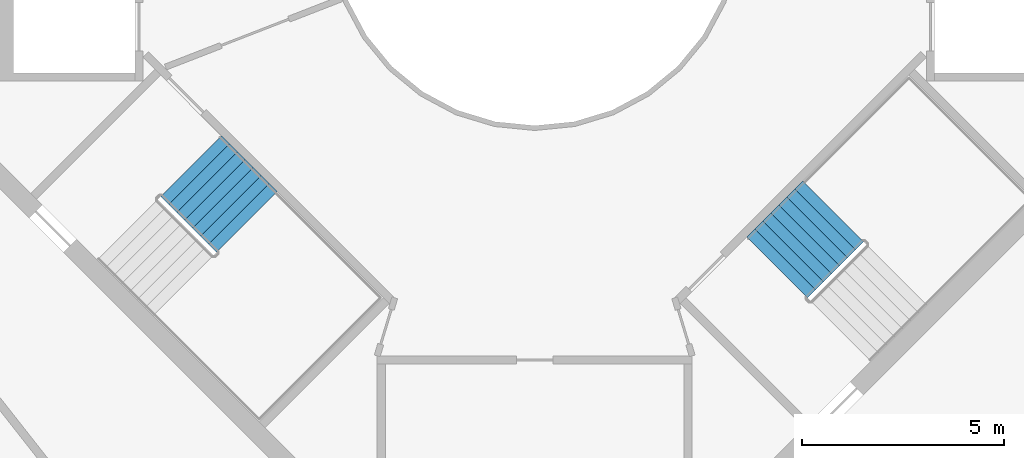
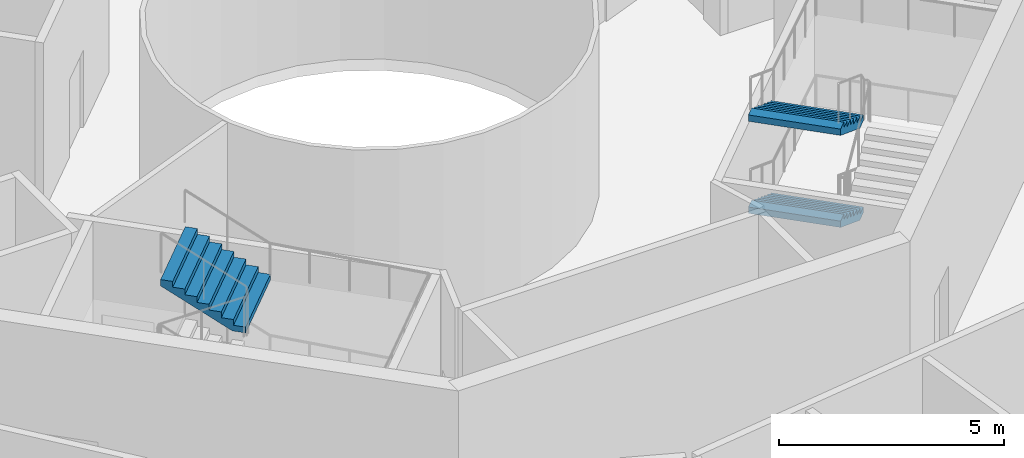
# One storey, part 15 of 19: 3 stair flights, 2 elements without a shape of their own.
"""IFC4 building model written with IfcOpenShell, lengths in metres."""

from ifc_helpers import new_model, si_unit, direction, frame, origin, place, context, subcontext, project, spatial, triangles, material, type_object, element, aggregate, save


model = new_model("IFC4")

# Units and contexts
model_context = context("Model", 3, precision=1e-05, world=origin(), true_north=direction((0.0, 1.0)))
body_context = subcontext(model_context, "Body", "Model", "MODEL_VIEW")
ifc_project = project(units=[si_unit("LENGTHUNIT", "METRE"), si_unit("AREAUNIT", "SQUARE_METRE"), si_unit("VOLUMEUNIT", "CUBIC_METRE"), si_unit("PLANEANGLEUNIT", "RADIAN"), si_unit("MASSUNIT", "GRAM", prefix="KILO")], contexts=[model_context])

# Site, building, storey
site_placement = place(None, origin())
site = spatial("IfcSite", under=ifc_project, at=site_placement, CompositionType="ELEMENT")
building_placement = place(site_placement, origin())
building = spatial("IfcBuilding", under=site, at=building_placement, Name="Verdalira Terraces Hotel", CompositionType="ELEMENT")
storey_placement = place(building_placement, frame((0.0, 0.0, 310.0)))
storey = spatial("IfcBuildingStorey", under=building, at=storey_placement, Name="L77", CompositionType="ELEMENT", Elevation=310.0)

# Stair, stair flight
ifc_material_1 = material(Name="Concrete C40", Category="concrete")
stair_type = type_object("IfcStairType", Name="Core stair 32 risers 2125 mm wide", PredefinedType="HALF_TURN_STAIR", material=ifc_material_1)
stair_1_placement = place(storey_placement, origin())
stair_1 = element("IfcStair", 1, at=stair_1_placement, inside=storey, type_object=stair_type, Name="L77 Exit stair ST2", PredefinedType="HALF_TURN_STAIR")
ifc_material_2 = material(Name="Concrete C40", Category="concrete")
stair_flight_type = type_object("IfcStairFlightType", Name="Core stair flight 32 risers 2125 mm wide", PredefinedType="STRAIGHT", material=ifc_material_2)
stair_flight_1_placement = place(storey_placement, frame((-7.125977, -7.387451, 3.75), z_axis=(0.0, 0.0, 1.0), x_axis=(-0.707106781, 0.707106781, 0.0)))
stair_flight_1 = element("IfcStairFlight", 2, at=stair_flight_1_placement, type_object=stair_flight_type, Name="ST2 flight 4", NumberOfRisers=8, NumberOfTreads=7, PredefinedType="STRAIGHT", RiserHeight=0.15625, TreadLength=0.28, context=body_context, shape_type="Tessellation", body=[
    triangles([(0.0, 1.0625, 0.0), (0.307617, 1.0625, 0.0), (1.959961, 1.0625, 0.922119), (0.0, -1.0625, 0.0), (0.307617, -1.0625, 0.0), (1.959961, -1.0625, 0.922119), (1.959961, 1.0625, 1.09375), (1.679932, 1.0625, 1.09375), (1.959961, -1.0625, 1.09375), (1.679932, -1.0625, 1.09375), (1.679932, 1.0625, 0.9375), (1.679932, -1.0625, 0.9375), (1.399902, 1.0625, 0.9375), (1.399902, -1.0625, 0.9375), (1.399902, 1.0625, 0.78125), (1.399902, -1.0625, 0.78125), (1.120117, 1.0625, 0.78125), (1.120117, 1.0625, 0.625), (1.120117, -1.0625, 0.78125), (1.120117, -1.0625, 0.625), (0.840088, 1.0625, 0.625), (0.840088, 1.0625, 0.46875), (0.840088, -1.0625, 0.625), (0.840088, -1.0625, 0.46875), (0.560059, 1.0625, 0.46875), (0.560059, 1.0625, 0.3125), (0.560059, -1.0625, 0.46875), (0.560059, -1.0625, 0.3125), (0.280029, 1.0625, 0.3125), (0.280029, 1.0625, 0.15625), (0.280029, -1.0625, 0.3125), (0.280029, -1.0625, 0.15625), (0.0, 1.0625, 0.15625), (0.0, -1.0625, 0.15625), (0.0, -0.996094, 0.0), (0.0, -0.996094, 0.15625), (0.0, -0.929688, 0.0), (0.0, -0.929688, 0.15625), (0.0, -0.863281, 0.0), (0.0, -0.863281, 0.15625), (0.0, -0.796875, 0.0), (0.0, -0.796875, 0.15625), (0.0, -0.730469, 0.0), (0.0, -0.730469, 0.15625), (0.0, -0.664062, 0.0), (0.0, -0.664062, 0.15625), (0.0, -0.597656, 0.0), (0.0, -0.597656, 0.15625), (0.0, -0.53125, 0.0), (0.0, -0.53125, 0.15625), (0.0, -0.464844, 0.0), (0.0, -0.464844, 0.15625), (0.0, -0.398438, 0.0), (0.0, -0.398438, 0.15625), (0.0, -0.332031, 0.0), (0.0, -0.332031, 0.15625), (0.0, -0.265625, 0.0), (0.0, -0.265625, 0.15625), (0.0, -0.199219, 0.0), (0.0, -0.199219, 0.15625), (0.0, -0.132812, 0.0), (0.0, -0.132812, 0.15625), (0.0, -0.066406, 0.0), (0.0, -0.066406, 0.15625), (0.0, 0.0, 0.0), (0.0, 0.0, 0.15625), (0.0, 0.066406, 0.0), (0.0, 0.066406, 0.15625), (0.0, 0.132812, 0.0), (0.0, 0.132812, 0.15625), (0.0, 0.199219, 0.0), (0.0, 0.199219, 0.15625), (0.0, 0.265625, 0.0), (0.0, 0.265625, 0.15625), (0.0, 0.332031, 0.0), (0.0, 0.332031, 0.15625), (0.0, 0.398438, 0.0), (0.0, 0.398438, 0.15625), (0.0, 0.464844, 0.0), (0.0, 0.464844, 0.15625), (0.0, 0.53125, 0.0), (0.0, 0.53125, 0.15625), (0.0, 0.597656, 0.0), (0.0, 0.597656, 0.15625), (0.0, 0.664062, 0.0), (0.0, 0.664062, 0.15625), (0.0, 0.730469, 0.0), (0.0, 0.730469, 0.15625), (0.0, 0.796875, 0.0), (0.0, 0.796875, 0.15625), (0.0, 0.863281, 0.0), (0.0, 0.863281, 0.15625), (0.0, 0.929688, 0.0), (0.0, 0.929688, 0.15625), (0.0, 0.996094, 0.0), (0.0, 0.996094, 0.15625), (1.959961, -0.996094, 1.09375), (1.959961, -0.929688, 1.09375), (1.959961, -0.863281, 1.09375), (1.959961, -0.796875, 1.09375), (1.959961, -0.730469, 1.09375), (1.959961, -0.664062, 1.09375), (1.959961, -0.597656, 1.09375), (1.959961, -0.53125, 1.09375), (1.959961, -0.464844, 1.09375), (1.959961, -0.398438, 1.09375), (1.959961, -0.332031, 1.09375), (1.959961, -0.265625, 1.09375), (1.959961, -0.199219, 1.09375), (1.959961, -0.132812, 1.09375), (1.959961, -0.066406, 1.09375), (1.959961, 0.0, 1.09375), (1.959961, 0.066406, 1.09375), (1.959961, 0.132812, 1.09375), (1.959961, 0.199219, 1.09375), (1.959961, 0.265625, 1.09375), (1.959961, 0.332031, 1.09375), (1.959961, 0.398438, 1.09375), (1.959961, 0.464844, 1.09375), (1.959961, 0.53125, 1.09375), (1.959961, 0.597656, 1.09375), (1.959961, 0.664062, 1.09375), (1.959961, 0.730469, 1.09375), (1.959961, 0.796875, 1.09375), (1.959961, 0.863281, 1.09375), (1.959961, 0.929688, 1.09375), (1.959961, 0.996094, 1.09375), (1.959961, -0.996094, 0.922119), (1.959961, -0.929688, 0.922119), (1.959961, -0.863281, 0.922119), (1.959961, -0.796875, 0.922119), (1.959961, -0.730469, 0.922119), (1.959961, -0.664062, 0.922119), (1.959961, -0.597656, 0.922119), (1.959961, -0.53125, 0.922119), (1.959961, -0.464844, 0.922119), (1.959961, -0.398438, 0.922119), (1.959961, -0.332031, 0.922119), (1.959961, -0.265625, 0.922119), (1.959961, -0.199219, 0.922119), (1.959961, -0.132812, 0.922119), (1.959961, -0.066406, 0.922119), (1.959961, 0.0, 0.922119), (1.959961, 0.066406, 0.922119), (1.959961, 0.132812, 0.922119), (1.959961, 0.199219, 0.922119), (1.959961, 0.265625, 0.922119), (1.959961, 0.332031, 0.922119), (1.959961, 0.398438, 0.922119), (1.959961, 0.464844, 0.922119), (1.959961, 0.53125, 0.922119), (1.959961, 0.597656, 0.922119), (1.959961, 0.664062, 0.922119), (1.959961, 0.730469, 0.922119), (1.959961, 0.796875, 0.922119), (1.959961, 0.863281, 0.922119), (1.959961, 0.929688, 0.922119), (1.959961, 0.996094, 0.922119)], [[1, 3, 2], [4, 5, 6], [3, 8, 7], [6, 9, 10], [3, 11, 8], [6, 10, 12], [3, 13, 11], [6, 12, 14], [3, 15, 13], [6, 14, 16], [15, 18, 17], [16, 19, 20], [3, 18, 15], [6, 16, 20], [18, 22, 21], [20, 23, 24], [3, 22, 18], [6, 20, 24], [22, 26, 25], [24, 27, 28], [3, 26, 22], [6, 24, 28], [26, 30, 29], [28, 31, 32], [3, 30, 26], [6, 28, 32], [1, 30, 3], [4, 6, 32], [30, 1, 33], [32, 34, 4], [4, 36, 35], [4, 34, 36], [35, 38, 37], [35, 36, 38], [37, 40, 39], [37, 38, 40], [39, 42, 41], [39, 40, 42], [41, 44, 43], [41, 42, 44], [43, 46, 45], [43, 44, 46], [45, 48, 47], [45, 46, 48], [47, 50, 49], [47, 48, 50], [49, 52, 51], [49, 50, 52], [51, 54, 53], [51, 52, 54], [53, 56, 55], [53, 54, 56], [55, 58, 57], [55, 56, 58], [57, 60, 59], [57, 58, 60], [59, 62, 61], [59, 60, 62], [61, 64, 63], [61, 62, 64], [63, 66, 65], [63, 64, 66], [65, 68, 67], [65, 66, 68], [67, 70, 69], [67, 68, 70], [69, 72, 71], [69, 70, 72], [71, 74, 73], [71, 72, 74], [73, 76, 75], [73, 74, 76], [75, 78, 77], [75, 76, 78], [77, 80, 79], [77, 78, 80], [79, 82, 81], [79, 80, 82], [81, 84, 83], [81, 82, 84], [83, 86, 85], [83, 84, 86], [85, 88, 87], [85, 86, 88], [87, 90, 89], [87, 88, 90], [89, 92, 91], [89, 90, 92], [91, 94, 93], [91, 92, 94], [93, 96, 95], [93, 94, 96], [95, 33, 1], [95, 96, 33], [34, 32, 36], [36, 32, 38], [38, 32, 40], [40, 32, 42], [42, 32, 44], [44, 32, 46], [46, 32, 48], [48, 32, 50], [50, 32, 52], [52, 32, 54], [54, 32, 56], [56, 32, 58], [58, 32, 60], [60, 32, 62], [62, 32, 64], [64, 32, 66], [66, 32, 68], [68, 32, 70], [70, 32, 72], [72, 32, 74], [74, 32, 76], [76, 32, 78], [78, 32, 80], [80, 32, 82], [82, 32, 84], [84, 32, 86], [86, 32, 88], [88, 32, 90], [90, 32, 92], [92, 32, 94], [94, 32, 96], [96, 32, 33], [33, 32, 30], [32, 29, 30], [32, 31, 29], [31, 26, 29], [31, 28, 26], [28, 25, 26], [28, 27, 25], [27, 22, 25], [27, 24, 22], [24, 21, 22], [24, 23, 21], [23, 18, 21], [23, 20, 18], [20, 17, 18], [20, 19, 17], [19, 15, 17], [19, 16, 15], [16, 13, 15], [16, 14, 13], [14, 11, 13], [14, 12, 11], [12, 8, 11], [12, 10, 8], [9, 97, 10], [97, 98, 10], [98, 99, 10], [99, 100, 10], [100, 101, 10], [101, 102, 10], [102, 103, 10], [103, 104, 10], [104, 105, 10], [105, 106, 10], [106, 107, 10], [107, 108, 10], [108, 109, 10], [109, 110, 10], [110, 111, 10], [111, 112, 10], [112, 113, 10], [113, 114, 10], [114, 115, 10], [115, 116, 10], [116, 117, 10], [117, 118, 10], [118, 119, 10], [119, 120, 10], [120, 121, 10], [121, 122, 10], [122, 123, 10], [123, 124, 10], [124, 125, 10], [125, 126, 10], [126, 127, 10], [127, 7, 10], [7, 8, 10], [9, 128, 97], [9, 6, 128], [97, 129, 98], [97, 128, 129], [98, 130, 99], [98, 129, 130], [99, 131, 100], [99, 130, 131], [100, 132, 101], [100, 131, 132], [101, 133, 102], [101, 132, 133], [102, 134, 103], [102, 133, 134], [103, 135, 104], [103, 134, 135], [104, 136, 105], [104, 135, 136], [105, 137, 106], [105, 136, 137], [106, 138, 107], [106, 137, 138], [107, 139, 108], [107, 138, 139], [108, 140, 109], [108, 139, 140], [109, 141, 110], [109, 140, 141], [110, 142, 111], [110, 141, 142], [111, 143, 112], [111, 142, 143], [112, 144, 113], [112, 143, 144], [113, 145, 114], [113, 144, 145], [114, 146, 115], [114, 145, 146], [115, 147, 116], [115, 146, 147], [116, 148, 117], [116, 147, 148], [117, 149, 118], [117, 148, 149], [118, 150, 119], [118, 149, 150], [119, 151, 120], [119, 150, 151], [120, 152, 121], [120, 151, 152], [121, 153, 122], [121, 152, 153], [122, 154, 123], [122, 153, 154], [123, 155, 124], [123, 154, 155], [124, 156, 125], [124, 155, 156], [125, 157, 126], [125, 156, 157], [126, 158, 127], [126, 157, 158], [127, 3, 7], [127, 158, 3], [6, 5, 128], [128, 5, 129], [129, 5, 130], [130, 5, 131], [131, 5, 132], [132, 5, 133], [133, 5, 134], [134, 5, 135], [135, 5, 136], [136, 5, 137], [137, 5, 138], [138, 5, 139], [139, 5, 140], [140, 5, 141], [141, 5, 142], [142, 5, 143], [143, 5, 144], [144, 5, 145], [145, 5, 146], [146, 5, 147], [147, 5, 148], [148, 5, 149], [149, 5, 150], [150, 5, 151], [151, 5, 152], [152, 5, 153], [153, 5, 154], [154, 5, 155], [155, 5, 156], [156, 5, 157], [157, 5, 158], [158, 5, 3], [3, 5, 2], [4, 35, 5], [35, 37, 5], [37, 39, 5], [39, 41, 5], [41, 43, 5], [43, 45, 5], [45, 47, 5], [47, 49, 5], [49, 51, 5], [51, 53, 5], [53, 55, 5], [55, 57, 5], [57, 59, 5], [59, 61, 5], [61, 63, 5], [63, 65, 5], [65, 67, 5], [67, 69, 5], [69, 71, 5], [71, 73, 5], [73, 75, 5], [75, 77, 5], [77, 79, 5], [79, 81, 5], [81, 83, 5], [83, 85, 5], [85, 87, 5], [87, 89, 5], [89, 91, 5], [91, 93, 5], [93, 95, 5], [95, 1, 5], [1, 2, 5]], closed=True),
])
aggregate(stair_1, [stair_flight_1])

# Stair, stair flights
stair_2_placement = place(storey_placement, origin())
stair_2 = element("IfcStair", 3, at=stair_2_placement, inside=storey, type_object=stair_type, Name="L77 Exit stair ST3", PredefinedType="HALF_TURN_STAIR")
stair_flight_2_placement = place(storey_placement, frame((7.387451, -7.125977, 1.25), z_axis=(0.0, 0.0, 1.0), x_axis=(-0.707106781, -0.707106781, 0.0)))
stair_flight_2 = element("IfcStairFlight", 4, at=stair_flight_2_placement, type_object=stair_flight_type, Name="ST3 flight 2", NumberOfRisers=8, NumberOfTreads=7, PredefinedType="STRAIGHT", RiserHeight=0.15625, TreadLength=0.28, context=body_context, shape_type="Tessellation", body=[
    triangles([(0.0, 1.0625, 0.0), (0.307617, 1.0625, 0.0), (1.959961, 1.0625, 0.922119), (0.0, -1.0625, 0.0), (0.307617, -1.0625, 0.0), (1.959961, -1.0625, 0.922119), (1.959961, 1.0625, 1.09375), (1.679932, 1.0625, 1.09375), (1.959961, -1.0625, 1.09375), (1.679932, -1.0625, 1.09375), (1.679932, 1.0625, 0.9375), (1.679932, -1.0625, 0.9375), (1.399902, 1.0625, 0.9375), (1.399902, -1.0625, 0.9375), (1.399902, 1.0625, 0.78125), (1.399902, -1.0625, 0.78125), (1.120117, 1.0625, 0.78125), (1.120117, 1.0625, 0.625), (1.120117, -1.0625, 0.78125), (1.120117, -1.0625, 0.625), (0.840088, 1.0625, 0.625), (0.840088, 1.0625, 0.46875), (0.840088, -1.0625, 0.625), (0.840088, -1.0625, 0.46875), (0.560059, 1.0625, 0.46875), (0.560059, 1.0625, 0.3125), (0.560059, -1.0625, 0.46875), (0.560059, -1.0625, 0.3125), (0.280029, 1.0625, 0.3125), (0.280029, 1.0625, 0.15625), (0.280029, -1.0625, 0.3125), (0.280029, -1.0625, 0.15625), (0.0, 1.0625, 0.15625), (0.0, -1.0625, 0.15625), (0.0, -0.996094, 0.0), (0.0, -0.996094, 0.15625), (0.0, -0.929688, 0.0), (0.0, -0.929688, 0.15625), (0.0, -0.863281, 0.0), (0.0, -0.863281, 0.15625), (0.0, -0.796875, 0.0), (0.0, -0.796875, 0.15625), (0.0, -0.730469, 0.0), (0.0, -0.730469, 0.15625), (0.0, -0.664062, 0.0), (0.0, -0.664062, 0.15625), (0.0, -0.597656, 0.0), (0.0, -0.597656, 0.15625), (0.0, -0.53125, 0.0), (0.0, -0.53125, 0.15625), (0.0, -0.464844, 0.0), (0.0, -0.464844, 0.15625), (0.0, -0.398438, 0.0), (0.0, -0.398438, 0.15625), (0.0, -0.332031, 0.0), (0.0, -0.332031, 0.15625), (0.0, -0.265625, 0.0), (0.0, -0.265625, 0.15625), (0.0, -0.199219, 0.0), (0.0, -0.199219, 0.15625), (0.0, -0.132812, 0.0), (0.0, -0.132812, 0.15625), (0.0, -0.066406, 0.0), (0.0, -0.066406, 0.15625), (0.0, 0.0, 0.0), (0.0, 0.0, 0.15625), (0.0, 0.066406, 0.0), (0.0, 0.066406, 0.15625), (0.0, 0.132812, 0.0), (0.0, 0.132812, 0.15625), (0.0, 0.199219, 0.0), (0.0, 0.199219, 0.15625), (0.0, 0.265625, 0.0), (0.0, 0.265625, 0.15625), (0.0, 0.332031, 0.0), (0.0, 0.332031, 0.15625), (0.0, 0.398438, 0.0), (0.0, 0.398438, 0.15625), (0.0, 0.464844, 0.0), (0.0, 0.464844, 0.15625), (0.0, 0.53125, 0.0), (0.0, 0.53125, 0.15625), (0.0, 0.597656, 0.0), (0.0, 0.597656, 0.15625), (0.0, 0.664062, 0.0), (0.0, 0.664062, 0.15625), (0.0, 0.730469, 0.0), (0.0, 0.730469, 0.15625), (0.0, 0.796875, 0.0), (0.0, 0.796875, 0.15625), (0.0, 0.863281, 0.0), (0.0, 0.863281, 0.15625), (0.0, 0.929688, 0.0), (0.0, 0.929688, 0.15625), (0.0, 0.996094, 0.0), (0.0, 0.996094, 0.15625), (1.959961, -0.996094, 1.09375), (1.959961, -0.929688, 1.09375), (1.959961, -0.863281, 1.09375), (1.959961, -0.796875, 1.09375), (1.959961, -0.730469, 1.09375), (1.959961, -0.664062, 1.09375), (1.959961, -0.597656, 1.09375), (1.959961, -0.53125, 1.09375), (1.959961, -0.464844, 1.09375), (1.959961, -0.398438, 1.09375), (1.959961, -0.332031, 1.09375), (1.959961, -0.265625, 1.09375), (1.959961, -0.199219, 1.09375), (1.959961, -0.132812, 1.09375), (1.959961, -0.066406, 1.09375), (1.959961, 0.0, 1.09375), (1.959961, 0.066406, 1.09375), (1.959961, 0.132812, 1.09375), (1.959961, 0.199219, 1.09375), (1.959961, 0.265625, 1.09375), (1.959961, 0.332031, 1.09375), (1.959961, 0.398438, 1.09375), (1.959961, 0.464844, 1.09375), (1.959961, 0.53125, 1.09375), (1.959961, 0.597656, 1.09375), (1.959961, 0.664062, 1.09375), (1.959961, 0.730469, 1.09375), (1.959961, 0.796875, 1.09375), (1.959961, 0.863281, 1.09375), (1.959961, 0.929688, 1.09375), (1.959961, 0.996094, 1.09375), (1.959961, -0.996094, 0.922119), (1.959961, -0.929688, 0.922119), (1.959961, -0.863281, 0.922119), (1.959961, -0.796875, 0.922119), (1.959961, -0.730469, 0.922119), (1.959961, -0.664062, 0.922119), (1.959961, -0.597656, 0.922119), (1.959961, -0.53125, 0.922119), (1.959961, -0.464844, 0.922119), (1.959961, -0.398438, 0.922119), (1.959961, -0.332031, 0.922119), (1.959961, -0.265625, 0.922119), (1.959961, -0.199219, 0.922119), (1.959961, -0.132812, 0.922119), (1.959961, -0.066406, 0.922119), (1.959961, 0.0, 0.922119), (1.959961, 0.066406, 0.922119), (1.959961, 0.132812, 0.922119), (1.959961, 0.199219, 0.922119), (1.959961, 0.265625, 0.922119), (1.959961, 0.332031, 0.922119), (1.959961, 0.398438, 0.922119), (1.959961, 0.464844, 0.922119), (1.959961, 0.53125, 0.922119), (1.959961, 0.597656, 0.922119), (1.959961, 0.664062, 0.922119), (1.959961, 0.730469, 0.922119), (1.959961, 0.796875, 0.922119), (1.959961, 0.863281, 0.922119), (1.959961, 0.929688, 0.922119), (1.959961, 0.996094, 0.922119)], [[1, 3, 2], [4, 5, 6], [3, 8, 7], [6, 9, 10], [3, 11, 8], [6, 10, 12], [3, 13, 11], [6, 12, 14], [3, 15, 13], [6, 14, 16], [15, 18, 17], [16, 19, 20], [3, 18, 15], [6, 16, 20], [18, 22, 21], [20, 23, 24], [3, 22, 18], [6, 20, 24], [22, 26, 25], [24, 27, 28], [3, 26, 22], [6, 24, 28], [26, 30, 29], [28, 31, 32], [3, 30, 26], [6, 28, 32], [1, 30, 3], [4, 6, 32], [30, 1, 33], [32, 34, 4], [4, 36, 35], [4, 34, 36], [35, 38, 37], [35, 36, 38], [37, 40, 39], [37, 38, 40], [39, 42, 41], [39, 40, 42], [41, 44, 43], [41, 42, 44], [43, 46, 45], [43, 44, 46], [45, 48, 47], [45, 46, 48], [47, 50, 49], [47, 48, 50], [49, 52, 51], [49, 50, 52], [51, 54, 53], [51, 52, 54], [53, 56, 55], [53, 54, 56], [55, 58, 57], [55, 56, 58], [57, 60, 59], [57, 58, 60], [59, 62, 61], [59, 60, 62], [61, 64, 63], [61, 62, 64], [63, 66, 65], [63, 64, 66], [65, 68, 67], [65, 66, 68], [67, 70, 69], [67, 68, 70], [69, 72, 71], [69, 70, 72], [71, 74, 73], [71, 72, 74], [73, 76, 75], [73, 74, 76], [75, 78, 77], [75, 76, 78], [77, 80, 79], [77, 78, 80], [79, 82, 81], [79, 80, 82], [81, 84, 83], [81, 82, 84], [83, 86, 85], [83, 84, 86], [85, 88, 87], [85, 86, 88], [87, 90, 89], [87, 88, 90], [89, 92, 91], [89, 90, 92], [91, 94, 93], [91, 92, 94], [93, 96, 95], [93, 94, 96], [95, 33, 1], [95, 96, 33], [34, 32, 36], [36, 32, 38], [38, 32, 40], [40, 32, 42], [42, 32, 44], [44, 32, 46], [46, 32, 48], [48, 32, 50], [50, 32, 52], [52, 32, 54], [54, 32, 56], [56, 32, 58], [58, 32, 60], [60, 32, 62], [62, 32, 64], [64, 32, 66], [66, 32, 68], [68, 32, 70], [70, 32, 72], [72, 32, 74], [74, 32, 76], [76, 32, 78], [78, 32, 80], [80, 32, 82], [82, 32, 84], [84, 32, 86], [86, 32, 88], [88, 32, 90], [90, 32, 92], [92, 32, 94], [94, 32, 96], [96, 32, 33], [33, 32, 30], [32, 29, 30], [32, 31, 29], [31, 26, 29], [31, 28, 26], [28, 25, 26], [28, 27, 25], [27, 22, 25], [27, 24, 22], [24, 21, 22], [24, 23, 21], [23, 18, 21], [23, 20, 18], [20, 17, 18], [20, 19, 17], [19, 15, 17], [19, 16, 15], [16, 13, 15], [16, 14, 13], [14, 11, 13], [14, 12, 11], [12, 8, 11], [12, 10, 8], [9, 97, 10], [97, 98, 10], [98, 99, 10], [99, 100, 10], [100, 101, 10], [101, 102, 10], [102, 103, 10], [103, 104, 10], [104, 105, 10], [105, 106, 10], [106, 107, 10], [107, 108, 10], [108, 109, 10], [109, 110, 10], [110, 111, 10], [111, 112, 10], [112, 113, 10], [113, 114, 10], [114, 115, 10], [115, 116, 10], [116, 117, 10], [117, 118, 10], [118, 119, 10], [119, 120, 10], [120, 121, 10], [121, 122, 10], [122, 123, 10], [123, 124, 10], [124, 125, 10], [125, 126, 10], [126, 127, 10], [127, 7, 10], [7, 8, 10], [9, 128, 97], [9, 6, 128], [97, 129, 98], [97, 128, 129], [98, 130, 99], [98, 129, 130], [99, 131, 100], [99, 130, 131], [100, 132, 101], [100, 131, 132], [101, 133, 102], [101, 132, 133], [102, 134, 103], [102, 133, 134], [103, 135, 104], [103, 134, 135], [104, 136, 105], [104, 135, 136], [105, 137, 106], [105, 136, 137], [106, 138, 107], [106, 137, 138], [107, 139, 108], [107, 138, 139], [108, 140, 109], [108, 139, 140], [109, 141, 110], [109, 140, 141], [110, 142, 111], [110, 141, 142], [111, 143, 112], [111, 142, 143], [112, 144, 113], [112, 143, 144], [113, 145, 114], [113, 144, 145], [114, 146, 115], [114, 145, 146], [115, 147, 116], [115, 146, 147], [116, 148, 117], [116, 147, 148], [117, 149, 118], [117, 148, 149], [118, 150, 119], [118, 149, 150], [119, 151, 120], [119, 150, 151], [120, 152, 121], [120, 151, 152], [121, 153, 122], [121, 152, 153], [122, 154, 123], [122, 153, 154], [123, 155, 124], [123, 154, 155], [124, 156, 125], [124, 155, 156], [125, 157, 126], [125, 156, 157], [126, 158, 127], [126, 157, 158], [127, 3, 7], [127, 158, 3], [6, 5, 128], [128, 5, 129], [129, 5, 130], [130, 5, 131], [131, 5, 132], [132, 5, 133], [133, 5, 134], [134, 5, 135], [135, 5, 136], [136, 5, 137], [137, 5, 138], [138, 5, 139], [139, 5, 140], [140, 5, 141], [141, 5, 142], [142, 5, 143], [143, 5, 144], [144, 5, 145], [145, 5, 146], [146, 5, 147], [147, 5, 148], [148, 5, 149], [149, 5, 150], [150, 5, 151], [151, 5, 152], [152, 5, 153], [153, 5, 154], [154, 5, 155], [155, 5, 156], [156, 5, 157], [157, 5, 158], [158, 5, 3], [3, 5, 2], [4, 35, 5], [35, 37, 5], [37, 39, 5], [39, 41, 5], [41, 43, 5], [43, 45, 5], [45, 47, 5], [47, 49, 5], [49, 51, 5], [51, 53, 5], [53, 55, 5], [55, 57, 5], [57, 59, 5], [59, 61, 5], [61, 63, 5], [63, 65, 5], [65, 67, 5], [67, 69, 5], [69, 71, 5], [71, 73, 5], [73, 75, 5], [75, 77, 5], [77, 79, 5], [79, 81, 5], [81, 83, 5], [83, 85, 5], [85, 87, 5], [87, 89, 5], [89, 91, 5], [91, 93, 5], [93, 95, 5], [95, 1, 5], [1, 2, 5]], closed=True),
])
stair_flight_3_placement = place(storey_placement, frame((7.387451, -7.125977, 3.75), z_axis=(0.0, 0.0, 1.0), x_axis=(-0.707106781, -0.707106781, 0.0)))
stair_flight_3 = element("IfcStairFlight", 5, at=stair_flight_3_placement, type_object=stair_flight_type, Name="ST3 flight 4", NumberOfRisers=8, NumberOfTreads=7, PredefinedType="STRAIGHT", RiserHeight=0.15625, TreadLength=0.28, context=body_context, shape_type="Tessellation", body=[
    triangles([(0.0, 1.0625, 0.0), (0.307617, 1.0625, 0.0), (1.959961, 1.0625, 0.922119), (0.0, -1.0625, 0.0), (0.307617, -1.0625, 0.0), (1.959961, -1.0625, 0.922119), (1.959961, 1.0625, 1.09375), (1.679932, 1.0625, 1.09375), (1.959961, -1.0625, 1.09375), (1.679932, -1.0625, 1.09375), (1.679932, 1.0625, 0.9375), (1.679932, -1.0625, 0.9375), (1.399902, 1.0625, 0.9375), (1.399902, -1.0625, 0.9375), (1.399902, 1.0625, 0.78125), (1.399902, -1.0625, 0.78125), (1.120117, 1.0625, 0.78125), (1.120117, 1.0625, 0.625), (1.120117, -1.0625, 0.78125), (1.120117, -1.0625, 0.625), (0.840088, 1.0625, 0.625), (0.840088, 1.0625, 0.46875), (0.840088, -1.0625, 0.625), (0.840088, -1.0625, 0.46875), (0.560059, 1.0625, 0.46875), (0.560059, 1.0625, 0.3125), (0.560059, -1.0625, 0.46875), (0.560059, -1.0625, 0.3125), (0.280029, 1.0625, 0.3125), (0.280029, 1.0625, 0.15625), (0.280029, -1.0625, 0.3125), (0.280029, -1.0625, 0.15625), (0.0, 1.0625, 0.15625), (0.0, -1.0625, 0.15625), (0.0, -0.996094, 0.0), (0.0, -0.996094, 0.15625), (0.0, -0.929688, 0.0), (0.0, -0.929688, 0.15625), (0.0, -0.863281, 0.0), (0.0, -0.863281, 0.15625), (0.0, -0.796875, 0.0), (0.0, -0.796875, 0.15625), (0.0, -0.730469, 0.0), (0.0, -0.730469, 0.15625), (0.0, -0.664062, 0.0), (0.0, -0.664062, 0.15625), (0.0, -0.597656, 0.0), (0.0, -0.597656, 0.15625), (0.0, -0.53125, 0.0), (0.0, -0.53125, 0.15625), (0.0, -0.464844, 0.0), (0.0, -0.464844, 0.15625), (0.0, -0.398438, 0.0), (0.0, -0.398438, 0.15625), (0.0, -0.332031, 0.0), (0.0, -0.332031, 0.15625), (0.0, -0.265625, 0.0), (0.0, -0.265625, 0.15625), (0.0, -0.199219, 0.0), (0.0, -0.199219, 0.15625), (0.0, -0.132812, 0.0), (0.0, -0.132812, 0.15625), (0.0, -0.066406, 0.0), (0.0, -0.066406, 0.15625), (0.0, 0.0, 0.0), (0.0, 0.0, 0.15625), (0.0, 0.066406, 0.0), (0.0, 0.066406, 0.15625), (0.0, 0.132812, 0.0), (0.0, 0.132812, 0.15625), (0.0, 0.199219, 0.0), (0.0, 0.199219, 0.15625), (0.0, 0.265625, 0.0), (0.0, 0.265625, 0.15625), (0.0, 0.332031, 0.0), (0.0, 0.332031, 0.15625), (0.0, 0.398438, 0.0), (0.0, 0.398438, 0.15625), (0.0, 0.464844, 0.0), (0.0, 0.464844, 0.15625), (0.0, 0.53125, 0.0), (0.0, 0.53125, 0.15625), (0.0, 0.597656, 0.0), (0.0, 0.597656, 0.15625), (0.0, 0.664062, 0.0), (0.0, 0.664062, 0.15625), (0.0, 0.730469, 0.0), (0.0, 0.730469, 0.15625), (0.0, 0.796875, 0.0), (0.0, 0.796875, 0.15625), (0.0, 0.863281, 0.0), (0.0, 0.863281, 0.15625), (0.0, 0.929688, 0.0), (0.0, 0.929688, 0.15625), (0.0, 0.996094, 0.0), (0.0, 0.996094, 0.15625), (1.959961, -0.996094, 1.09375), (1.959961, -0.929688, 1.09375), (1.959961, -0.863281, 1.09375), (1.959961, -0.796875, 1.09375), (1.959961, -0.730469, 1.09375), (1.959961, -0.664062, 1.09375), (1.959961, -0.597656, 1.09375), (1.959961, -0.53125, 1.09375), (1.959961, -0.464844, 1.09375), (1.959961, -0.398438, 1.09375), (1.959961, -0.332031, 1.09375), (1.959961, -0.265625, 1.09375), (1.959961, -0.199219, 1.09375), (1.959961, -0.132812, 1.09375), (1.959961, -0.066406, 1.09375), (1.959961, 0.0, 1.09375), (1.959961, 0.066406, 1.09375), (1.959961, 0.132812, 1.09375), (1.959961, 0.199219, 1.09375), (1.959961, 0.265625, 1.09375), (1.959961, 0.332031, 1.09375), (1.959961, 0.398438, 1.09375), (1.959961, 0.464844, 1.09375), (1.959961, 0.53125, 1.09375), (1.959961, 0.597656, 1.09375), (1.959961, 0.664062, 1.09375), (1.959961, 0.730469, 1.09375), (1.959961, 0.796875, 1.09375), (1.959961, 0.863281, 1.09375), (1.959961, 0.929688, 1.09375), (1.959961, 0.996094, 1.09375), (1.959961, -0.996094, 0.922119), (1.959961, -0.929688, 0.922119), (1.959961, -0.863281, 0.922119), (1.959961, -0.796875, 0.922119), (1.959961, -0.730469, 0.922119), (1.959961, -0.664062, 0.922119), (1.959961, -0.597656, 0.922119), (1.959961, -0.53125, 0.922119), (1.959961, -0.464844, 0.922119), (1.959961, -0.398438, 0.922119), (1.959961, -0.332031, 0.922119), (1.959961, -0.265625, 0.922119), (1.959961, -0.199219, 0.922119), (1.959961, -0.132812, 0.922119), (1.959961, -0.066406, 0.922119), (1.959961, 0.0, 0.922119), (1.959961, 0.066406, 0.922119), (1.959961, 0.132812, 0.922119), (1.959961, 0.199219, 0.922119), (1.959961, 0.265625, 0.922119), (1.959961, 0.332031, 0.922119), (1.959961, 0.398438, 0.922119), (1.959961, 0.464844, 0.922119), (1.959961, 0.53125, 0.922119), (1.959961, 0.597656, 0.922119), (1.959961, 0.664062, 0.922119), (1.959961, 0.730469, 0.922119), (1.959961, 0.796875, 0.922119), (1.959961, 0.863281, 0.922119), (1.959961, 0.929688, 0.922119), (1.959961, 0.996094, 0.922119)], [[1, 3, 2], [4, 5, 6], [3, 8, 7], [6, 9, 10], [3, 11, 8], [6, 10, 12], [3, 13, 11], [6, 12, 14], [3, 15, 13], [6, 14, 16], [15, 18, 17], [16, 19, 20], [3, 18, 15], [6, 16, 20], [18, 22, 21], [20, 23, 24], [3, 22, 18], [6, 20, 24], [22, 26, 25], [24, 27, 28], [3, 26, 22], [6, 24, 28], [26, 30, 29], [28, 31, 32], [3, 30, 26], [6, 28, 32], [1, 30, 3], [4, 6, 32], [30, 1, 33], [32, 34, 4], [4, 36, 35], [4, 34, 36], [35, 38, 37], [35, 36, 38], [37, 40, 39], [37, 38, 40], [39, 42, 41], [39, 40, 42], [41, 44, 43], [41, 42, 44], [43, 46, 45], [43, 44, 46], [45, 48, 47], [45, 46, 48], [47, 50, 49], [47, 48, 50], [49, 52, 51], [49, 50, 52], [51, 54, 53], [51, 52, 54], [53, 56, 55], [53, 54, 56], [55, 58, 57], [55, 56, 58], [57, 60, 59], [57, 58, 60], [59, 62, 61], [59, 60, 62], [61, 64, 63], [61, 62, 64], [63, 66, 65], [63, 64, 66], [65, 68, 67], [65, 66, 68], [67, 70, 69], [67, 68, 70], [69, 72, 71], [69, 70, 72], [71, 74, 73], [71, 72, 74], [73, 76, 75], [73, 74, 76], [75, 78, 77], [75, 76, 78], [77, 80, 79], [77, 78, 80], [79, 82, 81], [79, 80, 82], [81, 84, 83], [81, 82, 84], [83, 86, 85], [83, 84, 86], [85, 88, 87], [85, 86, 88], [87, 90, 89], [87, 88, 90], [89, 92, 91], [89, 90, 92], [91, 94, 93], [91, 92, 94], [93, 96, 95], [93, 94, 96], [95, 33, 1], [95, 96, 33], [34, 32, 36], [36, 32, 38], [38, 32, 40], [40, 32, 42], [42, 32, 44], [44, 32, 46], [46, 32, 48], [48, 32, 50], [50, 32, 52], [52, 32, 54], [54, 32, 56], [56, 32, 58], [58, 32, 60], [60, 32, 62], [62, 32, 64], [64, 32, 66], [66, 32, 68], [68, 32, 70], [70, 32, 72], [72, 32, 74], [74, 32, 76], [76, 32, 78], [78, 32, 80], [80, 32, 82], [82, 32, 84], [84, 32, 86], [86, 32, 88], [88, 32, 90], [90, 32, 92], [92, 32, 94], [94, 32, 96], [96, 32, 33], [33, 32, 30], [32, 29, 30], [32, 31, 29], [31, 26, 29], [31, 28, 26], [28, 25, 26], [28, 27, 25], [27, 22, 25], [27, 24, 22], [24, 21, 22], [24, 23, 21], [23, 18, 21], [23, 20, 18], [20, 17, 18], [20, 19, 17], [19, 15, 17], [19, 16, 15], [16, 13, 15], [16, 14, 13], [14, 11, 13], [14, 12, 11], [12, 8, 11], [12, 10, 8], [9, 97, 10], [97, 98, 10], [98, 99, 10], [99, 100, 10], [100, 101, 10], [101, 102, 10], [102, 103, 10], [103, 104, 10], [104, 105, 10], [105, 106, 10], [106, 107, 10], [107, 108, 10], [108, 109, 10], [109, 110, 10], [110, 111, 10], [111, 112, 10], [112, 113, 10], [113, 114, 10], [114, 115, 10], [115, 116, 10], [116, 117, 10], [117, 118, 10], [118, 119, 10], [119, 120, 10], [120, 121, 10], [121, 122, 10], [122, 123, 10], [123, 124, 10], [124, 125, 10], [125, 126, 10], [126, 127, 10], [127, 7, 10], [7, 8, 10], [9, 128, 97], [9, 6, 128], [97, 129, 98], [97, 128, 129], [98, 130, 99], [98, 129, 130], [99, 131, 100], [99, 130, 131], [100, 132, 101], [100, 131, 132], [101, 133, 102], [101, 132, 133], [102, 134, 103], [102, 133, 134], [103, 135, 104], [103, 134, 135], [104, 136, 105], [104, 135, 136], [105, 137, 106], [105, 136, 137], [106, 138, 107], [106, 137, 138], [107, 139, 108], [107, 138, 139], [108, 140, 109], [108, 139, 140], [109, 141, 110], [109, 140, 141], [110, 142, 111], [110, 141, 142], [111, 143, 112], [111, 142, 143], [112, 144, 113], [112, 143, 144], [113, 145, 114], [113, 144, 145], [114, 146, 115], [114, 145, 146], [115, 147, 116], [115, 146, 147], [116, 148, 117], [116, 147, 148], [117, 149, 118], [117, 148, 149], [118, 150, 119], [118, 149, 150], [119, 151, 120], [119, 150, 151], [120, 152, 121], [120, 151, 152], [121, 153, 122], [121, 152, 153], [122, 154, 123], [122, 153, 154], [123, 155, 124], [123, 154, 155], [124, 156, 125], [124, 155, 156], [125, 157, 126], [125, 156, 157], [126, 158, 127], [126, 157, 158], [127, 3, 7], [127, 158, 3], [6, 5, 128], [128, 5, 129], [129, 5, 130], [130, 5, 131], [131, 5, 132], [132, 5, 133], [133, 5, 134], [134, 5, 135], [135, 5, 136], [136, 5, 137], [137, 5, 138], [138, 5, 139], [139, 5, 140], [140, 5, 141], [141, 5, 142], [142, 5, 143], [143, 5, 144], [144, 5, 145], [145, 5, 146], [146, 5, 147], [147, 5, 148], [148, 5, 149], [149, 5, 150], [150, 5, 151], [151, 5, 152], [152, 5, 153], [153, 5, 154], [154, 5, 155], [155, 5, 156], [156, 5, 157], [157, 5, 158], [158, 5, 3], [3, 5, 2], [4, 35, 5], [35, 37, 5], [37, 39, 5], [39, 41, 5], [41, 43, 5], [43, 45, 5], [45, 47, 5], [47, 49, 5], [49, 51, 5], [51, 53, 5], [53, 55, 5], [55, 57, 5], [57, 59, 5], [59, 61, 5], [61, 63, 5], [63, 65, 5], [65, 67, 5], [67, 69, 5], [69, 71, 5], [71, 73, 5], [73, 75, 5], [75, 77, 5], [77, 79, 5], [79, 81, 5], [81, 83, 5], [83, 85, 5], [85, 87, 5], [87, 89, 5], [89, 91, 5], [91, 93, 5], [93, 95, 5], [95, 1, 5], [1, 2, 5]], closed=True),
])
aggregate(stair_2, [stair_flight_2, stair_flight_3])

save(model, "model.ifc")
